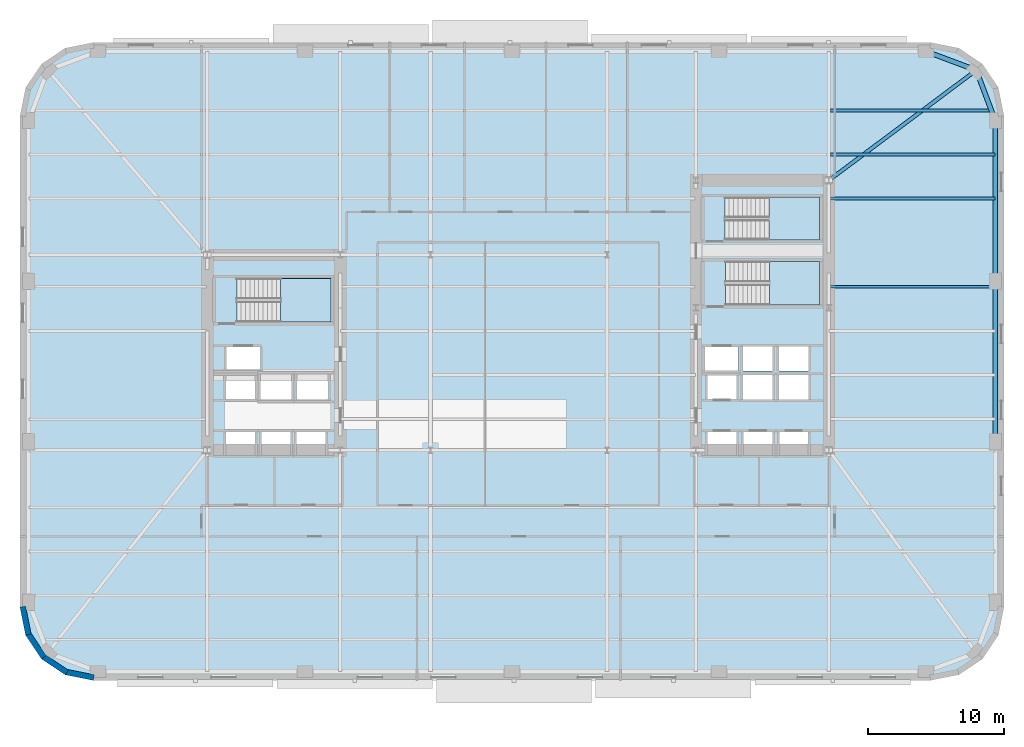
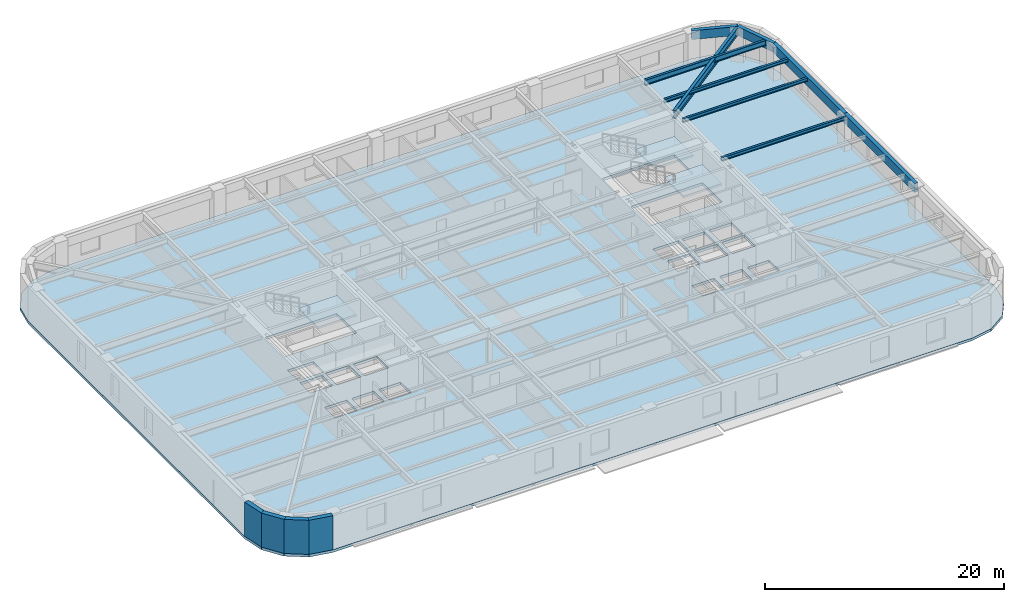
# One storey, part 3 of 14: 9 beams, 4 slabs, 4 walls, 3 elements without a shape of their own.
"""IFC4 building model written with IfcOpenShell, lengths in metres."""

from ifc_helpers import new_model, si_unit, direction, frame, frame_2d, origin, origin_2d, place, context, subcontext, project, spatial, polyline, rectangle, hollow_rectangle, i_section, outline, extrude, material, layer, layer_set, material_profile, profile_set, type_object, element, aggregate, save


model = new_model("IFC4")

# Units and contexts
model_context = context("Model", 3, precision=1e-05, world=origin(), true_north=direction((0.0, 1.0)))
body_context = subcontext(model_context, "Body", "Model", "MODEL_VIEW")
ifc_project = project(units=[si_unit("LENGTHUNIT", "METRE"), si_unit("AREAUNIT", "SQUARE_METRE"), si_unit("VOLUMEUNIT", "CUBIC_METRE"), si_unit("PLANEANGLEUNIT", "RADIAN"), si_unit("MASSUNIT", "GRAM", prefix="KILO")], contexts=[model_context])

# Site, building, storey
site_placement = place(None, origin())
site = spatial("IfcSite", under=ifc_project, at=site_placement, CompositionType="ELEMENT")
building_placement = place(site_placement, origin())
building = spatial("IfcBuilding", under=site, at=building_placement, Name="Kolvaren Arena Tower", CompositionType="ELEMENT")
storey_placement = place(building_placement, frame((0.0, 0.0, 53.25)))
storey = spatial("IfcBuildingStorey", under=building, at=storey_placement, Name="L10", CompositionType="ELEMENT", Elevation=53.25)

# Beams
ifc_material_1 = material(Name="Steel CSA G40.21 350W", Category="steel")
ifc_material_profile_1 = material_profile(ifc_material_1, i_section(OverallWidth=0.2119140625, OverallDepth=0.54296875, WebThickness=0.01318359375, FlangeThickness=0.0244140625, FilletRadius=0.013916015625, at=origin_2d()), Name="W530x150")
ifc_profile_set_1 = profile_set([ifc_material_profile_1], Name="Steel CSA G40.21 350W")
beam_type_1 = type_object("IfcBeamType", Name="BEAM-F1", PredefinedType="BEAM", material=ifc_profile_set_1)
beam_1_placement = place(storey_placement, frame((60.485107421875, 44.5, 3.20849609375), z_axis=(1.0, 0.0, 0.0), x_axis=(0.0, 1.0, 0.0)))
element("IfcBeam", 1, at=beam_1_placement, inside=storey, type_object=beam_type_1, Name="Composite Floor Beam (L10)", PredefinedType="BEAM", context=body_context, shape_type="SweptSolid", body=[
    extrude(i_section(OverallWidth=0.2119140625, OverallDepth=0.54296875, WebThickness=0.01318359375, FlangeThickness=0.0244140625, FilletRadius=0.013916015625, at=origin_2d()), origin(), (0.0, 0.0, 1.0), 11.83349609375),
])
ifc_material_profile_2 = material_profile(ifc_material_1, i_section(OverallWidth=0.27001953125, OverallDepth=0.77294921875, WebThickness=0.019287109375, FlangeThickness=0.033447265625, FilletRadius=0.01806640625, at=origin_2d()), Name="W760x257")
ifc_profile_set_2 = profile_set([ifc_material_profile_2], Name="Steel CSA G40.21 350W")
beam_type_2 = type_object("IfcBeamType", Name="GIRD-T1", PredefinedType="BEAM", material=ifc_profile_set_2)
beam_2_placement = place(storey_placement, frame((71.208740234375, 47.458740234375, 3.093505859375), z_axis=(-0.801249936397, -0.598329791523, 0.0), x_axis=(0.598329791523, -0.801249936397, 0.0)))
element("IfcBeam", 2, at=beam_2_placement, inside=storey, type_object=beam_type_2, Name="Corner Diagonal Tie Girder (L10)", PredefinedType="BEAM", context=body_context, shape_type="SweptSolid", body=[
    extrude(i_section(OverallWidth=0.27001953125, OverallDepth=0.77294921875, WebThickness=0.019287109375, FlangeThickness=0.033447265625, FilletRadius=0.01806640625, at=origin_2d()), origin(), (0.0, 0.0, 1.0), 13.55224609375),
])
ifc_material_profile_3 = material_profile(ifc_material_1, i_section(OverallWidth=0.202880859375, OverallDepth=0.346923828125, WebThickness=0.0078125, FlangeThickness=0.013427734375, FilletRadius=0.010986328125, at=origin_2d()), Name="W360x64")
ifc_profile_set_3 = profile_set([ifc_material_profile_3], Name="Steel CSA G40.21 350W")
beam_type_3 = type_object("IfcBeamType", Name="JOIST-01", PredefinedType="JOIST", material=ifc_profile_set_3)
for number, where, z_axis, x_axis, name in (
    (3, (60.3701171875, 31.5, 3.306396484375), (1.0, 0.0, 0.0), (0.0, 1.0, 0.0), "Composite Floor Joist (L10)"),
    (4, (60.3701171875, 38.0, 3.306396484375), (1.0, 0.0, 0.0), (0.0, 1.0, 0.0), "Composite Floor Joist (L10)"),
):
    element("IfcBeam", number, at=place(storey_placement, frame(where, z_axis=z_axis, x_axis=x_axis)), inside=storey, type_object=beam_type_3, Name=name, PredefinedType="JOIST", context=body_context, shape_type="SweptSolid", body=[
        extrude(i_section(OverallWidth=0.202880859375, OverallDepth=0.346923828125, WebThickness=0.0078125, FlangeThickness=0.013427734375, FilletRadius=0.010986328125, at=origin_2d()), origin(), (0.0, 0.0, 1.0), 12.22998046875),
    ])
beam_3_placement = place(storey_placement, frame((60.485107421875, 41.25, 3.306396484375), z_axis=(1.0, 0.0, 0.0), x_axis=(0.0, 1.0, 0.0)))
element("IfcBeam", 5, at=beam_3_placement, inside=storey, type_object=beam_type_3, Name="Composite Floor Joist (L10)", PredefinedType="JOIST", context=body_context, shape_type="SweptSolid", body=[
    extrude(i_section(OverallWidth=0.202880859375, OverallDepth=0.346923828125, WebThickness=0.0078125, FlangeThickness=0.013427734375, FilletRadius=0.010986328125, at=origin_2d()), origin(), (0.0, 0.0, 1.0), 12.114990234375),
])
ifc_material_2 = material(Name="Steel CSA G40.21 350WT", Category="steel")
ifc_material_profile_4 = material_profile(ifc_material_2, hollow_rectangle(XDim=0.35009765625, YDim=0.89990234375, WallThickness=0.02001953125, at=origin_2d()), Name="HSS 900x350x20")
ifc_profile_set_4 = profile_set([ifc_material_profile_4], Name="Steel CSA G40.21 350WT")
beam_type_4 = type_object("IfcBeamType", Name="SPAND-01", PredefinedType="SPANDREL", material=ifc_profile_set_4)
beam_4_placement = place(storey_placement, frame((72.60009765625, 20.083251953125, 3.030029296875), z_axis=(0.0, 1.0, 0.0), x_axis=(-1.0, 0.0, 0.0)))
element("IfcBeam", 6, at=beam_4_placement, inside=storey, type_object=beam_type_4, Name="Perimeter Spandrel Beam (L10)", PredefinedType="SPANDREL", context=body_context, shape_type="SweptSolid", body=[
    extrude(hollow_rectangle(XDim=0.35009765625, YDim=0.89990234375, WallThickness=0.02001953125, at=origin_2d()), origin(), (0.0, 0.0, 1.0), 11.83349609375),
])
beam_5_placement = place(storey_placement, frame((72.60009765625, 31.916748046875, 3.030029296875), z_axis=(0.0, 1.0, 0.0), x_axis=(-1.0, 0.0, 0.0)))
element("IfcBeam", 7, at=beam_5_placement, inside=storey, type_object=beam_type_4, Name="Perimeter Spandrel Beam (L10)", PredefinedType="SPANDREL", context=body_context, shape_type="SweptSolid", body=[
    extrude(hollow_rectangle(XDim=0.35009765625, YDim=0.89990234375, WallThickness=0.02001953125, at=origin_2d()), origin(), (0.0, 0.0, 1.0), 11.833251953125),
])
for number, where, z_axis, x_axis, name in (
    (8, (72.60009765625, 43.75, 3.030029296875), (-0.351251771955, 0.93628104365, 0.0), (-0.93628104365, -0.351251771955, 0.0), "Perimeter Spandrel Beam (L10)"),
    (9, (71.208740234375, 47.458740234375, 3.030029296875), (-0.93628104365, 0.351251771955, 0.0), (-0.351251771955, -0.93628104365, 0.0), "Perimeter Spandrel Beam (L10)"),
):
    element("IfcBeam", number, at=place(storey_placement, frame(where, z_axis=z_axis, x_axis=x_axis)), inside=storey, type_object=beam_type_4, Name=name, PredefinedType="SPANDREL", context=body_context, shape_type="SweptSolid", body=[
        extrude(hollow_rectangle(XDim=0.35009765625, YDim=0.89990234375, WallThickness=0.02001953125, at=origin_2d()), origin(), (0.0, 0.0, 1.0), 3.961181640625),
    ])

# Stair, slab
ifc_material_3 = material(Name="Concrete 45 MPa", Category="concrete")
stair_type_1 = type_object("IfcStairType", Name="STAIR-CORE-165", PredefinedType="HALF_TURN_STAIR", material=ifc_material_3)
stair_1_placement = place(storey_placement, origin())
stair_1 = element("IfcStair", 10, at=stair_1_placement, inside=storey, type_object=stair_type_1, Name="L10 ST-W1", PredefinedType="HALF_TURN_STAIR")
ifc_layer_1 = layer(ifc_material_3, 0.199951171875)
ifc_layer_set_1 = layer_set([ifc_layer_1], Name="Concrete 45 MPa")
slab_type_1 = type_object("IfcSlabType", Name="SLAB-LAND", PredefinedType="LANDING", material=ifc_layer_set_1)
slab_1_placement = place(storey_placement, frame((0.0, 0.0, 1.675048828125)))
slab_1 = element("IfcSlab", 11, at=slab_1_placement, type_object=slab_type_1, Name="ST-W1 landing 1", PredefinedType="LANDING", context=body_context, shape_type="SweptSolid", body=[
    extrude(outline(polyline([(19.9599609375, 28.89990234375), (23.659912109375, 28.89990234375), (23.659912109375, 32.1298828125), (19.9599609375, 32.1298828125), (19.9599609375, 28.89990234375)])), origin(), (0.0, 0.0, 1.0), 0.199951171875),
])
aggregate(stair_1, [slab_1])

stair_2_placement = place(storey_placement, origin())
stair_2 = element("IfcStair", 12, at=stair_2_placement, inside=storey, type_object=stair_type_1, Name="L10 ST-E1", PredefinedType="HALF_TURN_STAIR")
slab_2_placement = place(storey_placement, frame((0.0, 0.0, 1.675048828125)))
slab_2 = element("IfcSlab", 13, at=slab_2_placement, type_object=slab_type_1, Name="ST-E1 landing 1", PredefinedType="LANDING", context=body_context, shape_type="SweptSolid", body=[
    extrude(outline(polyline([(55.9599609375, 30.14990234375), (59.659912109375, 30.14990234375), (59.659912109375, 33.3798828125), (55.9599609375, 33.3798828125), (55.9599609375, 30.14990234375)])), origin(), (0.0, 0.0, 1.0), 0.199951171875),
])
aggregate(stair_2, [slab_2])

stair_type_2 = type_object("IfcStairType", Name="STAIR-CORE-150", PredefinedType="HALF_TURN_STAIR", material=ifc_material_3)
stair_3_placement = place(storey_placement, origin())
stair_3 = element("IfcStair", 14, at=stair_3_placement, inside=storey, type_object=stair_type_2, Name="L10 ST-E2", PredefinedType="HALF_TURN_STAIR")
slab_3_placement = place(storey_placement, frame((0.0, 0.0, 1.675048828125)))
slab_3 = element("IfcSlab", 15, at=slab_3_placement, type_object=slab_type_1, Name="ST-E2 landing 1", PredefinedType="LANDING", context=body_context, shape_type="SweptSolid", body=[
    extrude(outline(polyline([(55.919921875, 34.949951171875), (59.659912109375, 34.949951171875), (59.659912109375, 38.10009765625), (55.919921875, 38.10009765625), (55.919921875, 34.949951171875)])), origin(), (0.0, 0.0, 1.0), 0.199951171875),
])
aggregate(stair_3, [slab_3])

# Slab
ifc_layer_2 = layer(ifc_material_3, 0.27001953125)
ifc_layer_set_2 = layer_set([ifc_layer_2], Name="Concrete 45 MPa")
slab_type_2 = type_object("IfcSlabType", Name="SLAB-OFF2", PredefinedType="FLOOR", material=ifc_layer_set_2)
slab_4_placement = place(storey_placement, frame((0.0, 0.0, -0.27001953125)))
element("IfcSlab", 16, at=slab_4_placement, inside=storey, type_object=slab_type_2, Name="L10 Primary Structural Slab", PredefinedType="FLOOR", context=body_context, shape_type="SweptSolid", body=[
    extrude(outline(polyline([(67.85009765625, 2.5), (69.91650390625, 2.9111328125), (71.66845703125, 4.08154296875), (72.8388671875, 5.83349609375), (73.25, 7.89990234375), (73.25, 44.10009765625), (72.8388671875, 46.16650390625), (71.66845703125, 47.91845703125), (69.91650390625, 49.0888671875), (67.85009765625, 49.5), (6.14990234375, 49.5), (4.08349609375, 49.0888671875), (2.33154296875, 47.91845703125), (1.1611328125, 46.16650390625), (0.75, 44.10009765625), (0.75, 7.89990234375), (1.1611328125, 5.83349609375), (2.33154296875, 4.08154296875), (4.08349609375, 2.9111328125), (6.14990234375, 2.5), (67.85009765625, 2.5)]), holes=[polyline([(15.93505859375, 19.0849609375), (15.93505859375, 20.81494140625), (18.06494140625, 20.81494140625), (18.06494140625, 19.0849609375), (15.93505859375, 19.0849609375)]), polyline([(18.534912109375, 19.0849609375), (18.534912109375, 20.81494140625), (20.6650390625, 20.81494140625), (20.6650390625, 19.0849609375), (18.534912109375, 19.0849609375)]), polyline([(21.135009765625, 19.0849609375), (21.135009765625, 20.81494140625), (23.264892578125, 20.81494140625), (23.264892578125, 19.0849609375), (21.135009765625, 19.0849609375)]), polyline([(51.39501953125, 19.0849609375), (51.39501953125, 20.81494140625), (53.52490234375, 20.81494140625), (53.52490234375, 19.0849609375), (51.39501953125, 19.0849609375)]), polyline([(54.054931640625, 19.0849609375), (54.054931640625, 20.81494140625), (56.18505859375, 20.81494140625), (56.18505859375, 19.0849609375), (54.054931640625, 19.0849609375)]), polyline([(56.695068359375, 19.0849609375), (56.695068359375, 20.81494140625), (58.824951171875, 20.81494140625), (58.824951171875, 19.0849609375), (56.695068359375, 19.0849609375)]), polyline([(18.4599609375, 23.135009765625), (18.4599609375, 25.06494140625), (20.739990234375, 25.06494140625), (20.739990234375, 23.135009765625), (18.4599609375, 23.135009765625)]), polyline([(21.159912109375, 23.135009765625), (21.159912109375, 25.06494140625), (23.43994140625, 25.06494140625), (23.43994140625, 23.135009765625), (21.159912109375, 23.135009765625)]), polyline([(54.030029296875, 25.014892578125), (56.2099609375, 25.014892578125), (56.2099609375, 23.18505859375), (54.030029296875, 23.18505859375), (54.030029296875, 25.014892578125)]), polyline([(56.669921875, 25.014892578125), (58.85009765625, 25.014892578125), (58.85009765625, 23.18505859375), (56.669921875, 23.18505859375), (56.669921875, 25.014892578125)]), polyline([(15.93505859375, 23.235107421875), (15.93505859375, 24.965087890625), (18.06494140625, 24.965087890625), (18.06494140625, 23.235107421875), (15.93505859375, 23.235107421875)]), polyline([(51.39501953125, 24.965087890625), (53.52490234375, 24.965087890625), (53.52490234375, 23.235107421875), (51.39501953125, 23.235107421875), (51.39501953125, 24.965087890625)]), polyline([(54.030029296875, 25.284912109375), (54.030029296875, 27.114990234375), (56.2099609375, 27.114990234375), (56.2099609375, 25.284912109375), (54.030029296875, 25.284912109375)]), polyline([(56.669921875, 25.284912109375), (56.669921875, 27.114990234375), (58.85009765625, 27.114990234375), (58.85009765625, 25.284912109375), (56.669921875, 25.284912109375)]), polyline([(15.9599609375, 27.06494140625), (18.43994140625, 27.06494140625), (18.43994140625, 25.3349609375), (15.9599609375, 25.3349609375), (15.9599609375, 27.06494140625)]), polyline([(51.219970703125, 25.3349609375), (51.219970703125, 27.06494140625), (53.699951171875, 27.06494140625), (53.699951171875, 25.3349609375), (51.219970703125, 25.3349609375)]), polyline([(16.735107421875, 28.89990234375), (16.735107421875, 32.1298828125), (23.659912109375, 32.1298828125), (23.659912109375, 28.89990234375), (16.735107421875, 28.89990234375)]), polyline([(52.735107421875, 33.3798828125), (59.659912109375, 33.3798828125), (59.659912109375, 30.14990234375), (52.735107421875, 30.14990234375), (52.735107421875, 33.3798828125)]), polyline([(52.695068359375, 38.10009765625), (59.659912109375, 38.10009765625), (59.659912109375, 34.949951171875), (52.695068359375, 34.949951171875), (52.695068359375, 38.10009765625)])]), origin(), (0.0, 0.0, 1.0), 0.27001953125),
])

# Walls
ifc_material_4 = material(Name="Precast concrete C50/60", Category="concrete")
ifc_layer_3 = layer(ifc_material_4, 0.419921875)
ifc_layer_set_3 = layer_set([ifc_layer_3], Name="Precast concrete C50/60")
wall_type = type_object("IfcWallType", Name="EXT-PIER1", PredefinedType="SOLIDWALL", material=ifc_layer_set_3)
for number, where, z_axis, x_axis, name in (
    (17, (1.3671875, 5.87451171875, 0.0), (0.0, 0.0, 1.0), (-0.195135546048, 0.9807762837, 0.0), "Exterior Precast Masonry-Frame Wall (L10)"),
    (18, (2.506103515625, 4.1982421875, 0.0), (0.0, 0.0, 1.0), (-0.555502146192, 0.831515102434, 0.0), "Exterior Precast Masonry-Frame Wall (L10)"),
    (19, (4.2001953125, 3.085693359375, 0.0), (0.0, 0.0, 1.0), (-0.831515102434, 0.555502146192, 0.0), "Exterior Precast Masonry-Frame Wall (L10)"),
    (20, (6.19091796875, 2.7060546875, 0.0), (0.0, 0.0, 1.0), (-0.9807762837, 0.195135546048, 0.0), "Exterior Precast Masonry-Frame Wall (L10)"),
):
    element("IfcWall", number, at=place(storey_placement, frame(where, z_axis=z_axis, x_axis=x_axis)), inside=storey, type_object=wall_type, Name=name, PredefinedType="SOLIDWALL", context=body_context, shape_type="SweptSolid", body=[
        extrude(rectangle(XDim=2.10693359375, YDim=0.419921875, at=frame_2d((1.053466796875, 0.0))), origin(), (0.0, 0.0, 1.0), 3.47998046875),
    ])

save(model, "model.ifc")
